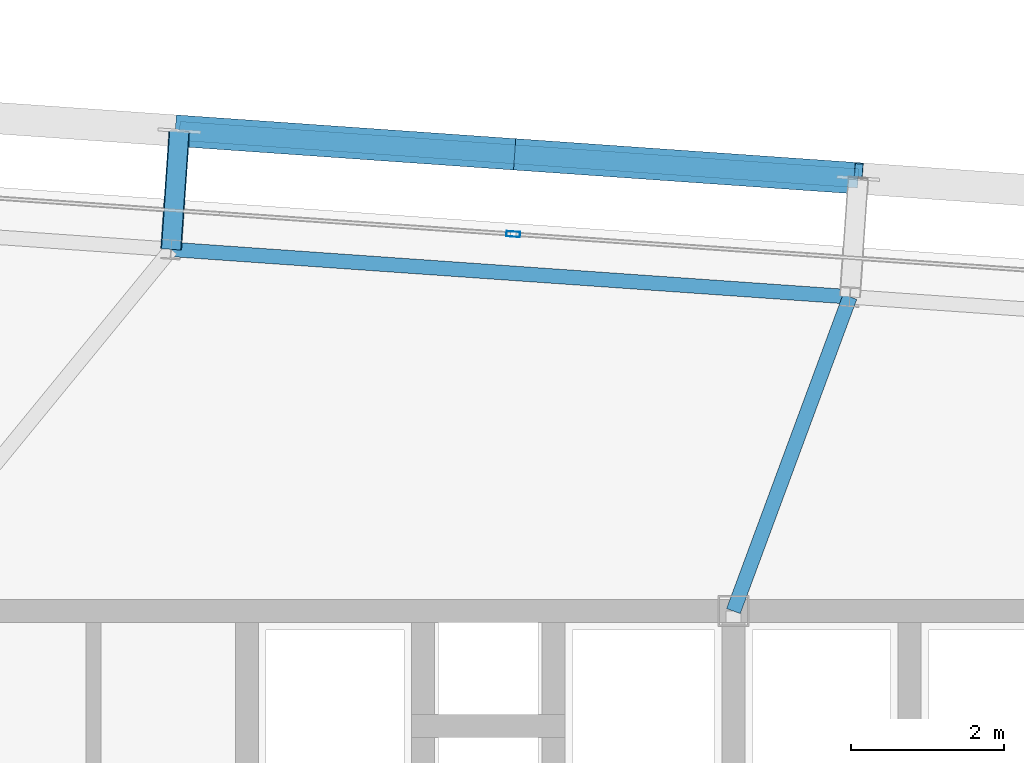
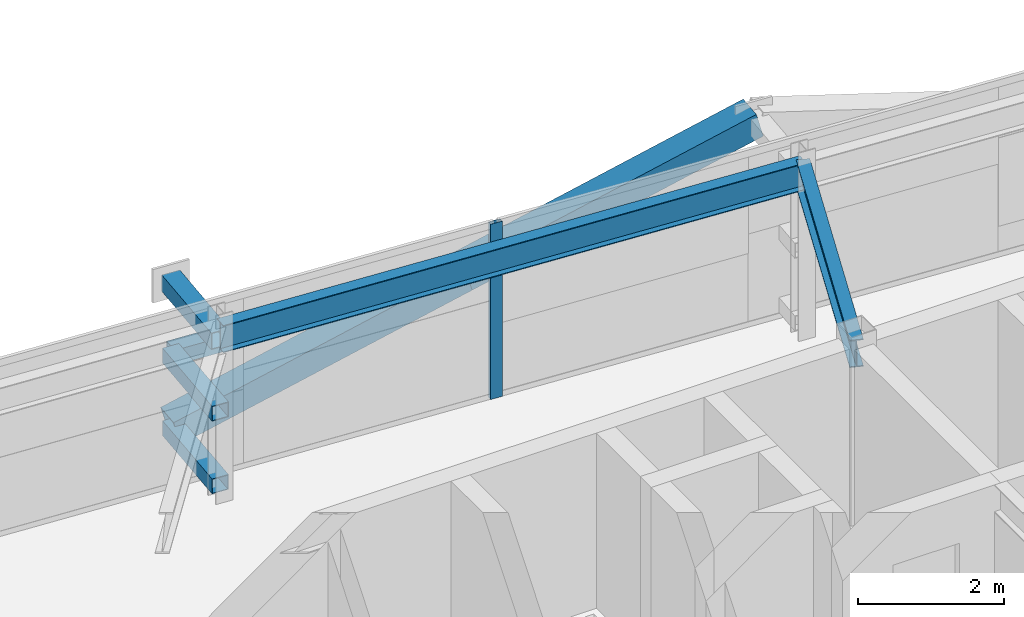
# One storey, part 22 of 39: 7 members, 2 beams, 1 element without a shape of its own.
"""IFC4 building model written with IfcOpenShell, lengths in metres."""

import ifcopenshell
import ifcopenshell.guid

model = None  # the IFC model being written
_history = None  # IfcOwnerHistory: only IFC2X3 demands one
_inside = {}  # id of a spatial element -> (the spatial element, [elements in it])
_under = {}  # id of a project, library or spatial element -> (it, [spatial elements below it])
_declared = {}  # id of a project -> (the project, [libraries it declares])
_typed = {}  # id of a type object -> (the type object, [elements of that type])
_made_of = {}  # id of a material, layer set ... -> (it, [elements and type objects made of it])


def new_model(schema):
    """Start an empty IFC model of exactly this schema.

    Asked for "IFC4X3", IfcOpenShell would pick the latest addendum, in which some entities
    have other attributes; the version numbers below select the first issue.
    IFC2X3 requires an IfcOwnerHistory on every rooted entity: one is made here for all.
    """
    global model, _history
    if schema == "IFC4X3":
        model = ifcopenshell.file(schema_version=(4, 3, 0, 0))
    else:
        model = ifcopenshell.file(schema=schema)
    _inside.clear()
    _under.clear()
    _declared.clear()
    _typed.clear()
    _made_of.clear()
    _history = None
    if model.schema == "IFC2X3":
        org = make("IfcOrganization", Name="unknown")
        user = make(
            "IfcPersonAndOrganization",
            ThePerson=make("IfcPerson", FamilyName="unknown"),
            TheOrganization=org,
        )
        app = make(
            "IfcApplication",
            ApplicationDeveloper=org,
            Version="unknown",
            ApplicationFullName="unknown",
            ApplicationIdentifier="unknown",
        )
        _history = make(
            "IfcOwnerHistory",
            OwningUser=user,
            OwningApplication=app,
            ChangeAction="ADDED",
            CreationDate=0,
        )
    return model


def make(cls, **values):
    """One entity of the class cls with the attributes given. An attribute that is None is left unset."""
    return model.create_entity(
        cls, **{name: value for name, value in values.items() if value is not None}
    )


def rooted(cls, **values):
    """An entity with a GlobalId (a new one), such as an element, a storey or a relation."""
    return make(cls, GlobalId=ifcopenshell.guid.new(), OwnerHistory=_history, **values)


def si_unit(unit_type, name, prefix=None):
    """IfcSIUnit, for example si_unit("LENGTHUNIT", "METRE", prefix="MILLI")."""
    return make("IfcSIUnit", UnitType=unit_type, Prefix=prefix, Name=name)


def assignment(units):
    """IfcUnitAssignment: the units of a project."""
    return None if units is None else make("IfcUnitAssignment", Units=units)


def point(xyz):
    """IfcCartesianPoint."""
    return None if xyz is None else make("IfcCartesianPoint", Coordinates=xyz)


def direction(xyz):
    """IfcDirection."""
    return None if xyz is None else make("IfcDirection", DirectionRatios=xyz)


def frame(location, z_axis=None, x_axis=None):
    """IfcAxis2Placement3D, a coordinate frame: its origin and axes. An axis left out is left unset."""
    return make(
        "IfcAxis2Placement3D",
        Location=point(location),
        Axis=direction(z_axis),
        RefDirection=direction(x_axis),
    )


def frame_2d(location, x_axis=None):
    """IfcAxis2Placement2D, a coordinate frame in the plane: its origin and x axis."""
    return make(
        "IfcAxis2Placement2D", Location=point(location), RefDirection=direction(x_axis)
    )


def origin():
    """The frame at (0, 0, 0) with its axes left unset."""
    return frame((0.0, 0.0, 0.0))


def origin_2d():
    """The frame at (0, 0) in the plane with its x axis left unset."""
    return frame_2d((0.0, 0.0))


def place(relative_to, where):
    """IfcLocalPlacement: puts the frame where relative to a parent placement (None: the world)."""
    return make(
        "IfcLocalPlacement", PlacementRelTo=relative_to, RelativePlacement=where
    )


def context(
    kind, dimensions, precision=None, world=None, true_north=None, identifier=None
):
    """IfcGeometricRepresentationContext, for example the 3D "Model" context."""
    return make(
        "IfcGeometricRepresentationContext",
        ContextIdentifier=identifier,
        ContextType=kind,
        CoordinateSpaceDimension=dimensions,
        Precision=precision,
        WorldCoordinateSystem=world,
        TrueNorth=true_north,
    )


def subcontext(parent, identifier, kind, view, scale=None):
    """IfcGeometricRepresentationSubContext, for example "Body" below "Model"."""
    return make(
        "IfcGeometricRepresentationSubContext",
        ContextIdentifier=identifier,
        ContextType=kind,
        ParentContext=parent,
        TargetScale=scale,
        TargetView=view,
    )


def project(units=None, contexts=None):
    """IfcProject with its units and contexts."""
    return rooted(
        "IfcProject",
        Name="project",
        RepresentationContexts=contexts,
        UnitsInContext=assignment(units),
    )


def spatial(cls, under=None, at=None, **own):
    """A site, building, storey or space (cls), placed at a placement, below another one or the project."""
    s = rooted(cls, ObjectPlacement=at, **own)
    if under is not None:
        _under.setdefault(under.id(), (under, []))[1].append(s)
    return s


def profile(cls, at=None, kind="AREA", **sizes):
    """A parametric profile (cls). Its sizes go by their IFC names, for example OverallWidth=200.0."""
    return make(cls, ProfileType=kind, Position=at, **sizes)


def hollow_rectangle(**sizes):
    """IfcRectangleHollowProfileDef."""
    return profile("IfcRectangleHollowProfileDef", **sizes)


def i_section(**sizes):
    """IfcIShapeProfileDef."""
    return profile("IfcIShapeProfileDef", **sizes)


def extrude(swept, where, along, depth):
    """IfcExtrudedAreaSolid: the profile swept, set in the frame where, extruded along a direction by depth."""
    return make(
        "IfcExtrudedAreaSolid",
        SweptArea=swept,
        Position=where,
        ExtrudedDirection=direction(along),
        Depth=depth,
    )


def shape(context_of_items, identifier, shape_type, items):
    """IfcShapeRepresentation: the items that make up one representation, for example the "Body"."""
    return make(
        "IfcShapeRepresentation",
        ContextOfItems=context_of_items,
        RepresentationIdentifier=identifier,
        RepresentationType=shape_type,
        Items=items,
    )


def source(mapping_origin, context_of_items, identifier, shape_type, items):
    """IfcRepresentationMap: a shape defined once, which mapped items show again and again."""
    return make(
        "IfcRepresentationMap",
        MappingOrigin=mapping_origin,
        MappedRepresentation=shape(context_of_items, identifier, shape_type, items),
    )


def transform(
    local_origin,
    x_axis=None,
    y_axis=None,
    z_axis=None,
    scale=None,
    scale2=None,
    scale3=None,
    uniform=True,
):
    """IfcCartesianTransformationOperator3D, or its non-uniform kind. x_axis, y_axis, z_axis: its Axis1, 2, 3."""
    if uniform:
        return make(
            "IfcCartesianTransformationOperator3D",
            Axis1=direction(x_axis),
            Axis2=direction(y_axis),
            LocalOrigin=point(local_origin),
            Scale=scale,
            Axis3=direction(z_axis),
        )
    return make(
        "IfcCartesianTransformationOperator3DnonUniform",
        Axis1=direction(x_axis),
        Axis2=direction(y_axis),
        LocalOrigin=point(local_origin),
        Scale=scale,
        Axis3=direction(z_axis),
        Scale2=scale2,
        Scale3=scale3,
    )


def mapped(mapping_source, mapping_target):
    """IfcMappedItem: shows the shape of a source again, moved by a transform."""
    return make(
        "IfcMappedItem", MappingSource=mapping_source, MappingTarget=mapping_target
    )


def material(Name=None, Category=None):
    """IfcMaterial."""
    return make("IfcMaterial", Name=Name, Category=Category)


def layer(
    of_material, thickness, ventilated=None, Name=None, Category=None, Priority=None
):
    """IfcMaterialLayer: one layer of a wall or slab, of a material (None: an air gap)."""
    return make(
        "IfcMaterialLayer",
        Material=of_material,
        LayerThickness=thickness,
        IsVentilated=ventilated,
        Name=Name,
        Category=Category,
        Priority=Priority,
    )


def layer_set(layers, Name=None):
    """IfcMaterialLayerSet."""
    return make("IfcMaterialLayerSet", MaterialLayers=layers, LayerSetName=Name)


def material_profile(
    of_material, cross_section, Name=None, Category=None, Priority=None
):
    """IfcMaterialProfile: a cross section and its material."""
    return make(
        "IfcMaterialProfile",
        Name=Name,
        Material=of_material,
        Profile=cross_section,
        Priority=Priority,
        Category=Category,
    )


def profile_set(profiles, Name=None, composite=None):
    """IfcMaterialProfileSet."""
    return make(
        "IfcMaterialProfileSet",
        Name=Name,
        MaterialProfiles=profiles,
        CompositeProfile=composite,
    )


def made_of(thing, what):
    """Note that an element or type object is made of a material, layer set ...; save() writes the relation."""
    if what is not None:
        _made_of.setdefault(what.id(), (what, []))[1].append(thing)
    return thing


def type_object(cls, material=None, **own):
    """A type object (cls), such as IfcWallType, which elements share."""
    return made_of(rooted(cls, **own), material)


def element(
    cls,
    number,
    at=None,
    inside=None,
    cuts=None,
    type_object=None,
    material=None,
    context=None,
    identifier="Body",
    shape_type=None,
    held_by="IfcProductDefinitionShape",
    body=None,
    shapes=None,
    **own,
):
    """One element of the class cls, such as IfcWall. Its Tag is "e" and its number.

    at: its placement. inside: the storey or other place that contains it. cuts: it is an
    opening in that element (IfcRelVoidsElement). A single representation is given by context,
    identifier, shape_type and body (its items); several are given by shapes. held_by: the class
    of the entity that holds the representations. save() writes the other relations.
    """
    e = rooted(cls, Tag="e%d" % number, ObjectPlacement=at, **own)
    if body is not None:
        shapes = [shape(context, identifier, shape_type, body)]
    if shapes is not None:
        e.Representation = make(held_by, Representations=shapes)
    if inside is not None:
        _inside.setdefault(inside.id(), (inside, []))[1].append(e)
    if cuts is not None:
        rooted(
            "IfcRelVoidsElement", RelatingBuildingElement=cuts, RelatedOpeningElement=e
        )
    if type_object is not None:
        _typed.setdefault(type_object.id(), (type_object, []))[1].append(e)
    return made_of(e, material)


def aggregate(whole, parts):
    """IfcRelAggregates: a whole, such as a stair, and the parts it consists of."""
    return rooted("IfcRelAggregates", RelatingObject=whole, RelatedObjects=parts)


def save(model, path):
    """Write the relations noted so far, then the file.

    IfcRelAggregates (storeys below a building ...), IfcRelContainedInSpatialStructure (elements
    in a storey), IfcRelDefinesByType, IfcRelAssociatesMaterial and IfcRelDeclares: one each for
    every whole, place, type object, material and project.
    """
    for whole, parts in _under.values():
        aggregate(whole, parts)
    for where, things in _inside.values():
        rooted(
            "IfcRelContainedInSpatialStructure",
            RelatedElements=things,
            RelatingStructure=where,
        )
    for kind, things in _typed.values():
        rooted("IfcRelDefinesByType", RelatedObjects=things, RelatingType=kind)
    for what, things in _made_of.values():
        rooted("IfcRelAssociatesMaterial", RelatedObjects=things, RelatingMaterial=what)
    for by, libraries in _declared.values():
        rooted("IfcRelDeclares", RelatingContext=by, RelatedDefinitions=libraries)
    model.write(path)


model = new_model("IFC4")

# Units and contexts
model_context = context("Model", 3, precision=1e-05, world=origin(), true_north=direction((0.0, 1.0)))
body_context = subcontext(model_context, "Body", "Model", "MODEL_VIEW")
ifc_project = project(units=[si_unit("LENGTHUNIT", "METRE"), si_unit("AREAUNIT", "SQUARE_METRE"), si_unit("VOLUMEUNIT", "CUBIC_METRE"), si_unit("PLANEANGLEUNIT", "RADIAN"), si_unit("MASSUNIT", "GRAM", prefix="KILO")], contexts=[model_context])

# Site, building, storey
site_placement = place(None, origin())
site = spatial("IfcSite", under=ifc_project, at=site_placement, CompositionType="ELEMENT")
building_placement = place(site_placement, origin())
building = spatial("IfcBuilding", under=site, at=building_placement, Name="Taldren Reach Tower", CompositionType="ELEMENT")
storey_placement = place(building_placement, frame((0.0, 0.0, 151.89990234375)))
storey = spatial("IfcBuildingStorey", under=building, at=storey_placement, Name="L46", CompositionType="ELEMENT", Elevation=151.89990234375)

# Members
ifc_material_1 = material(Name="Steel Gr 450 (C450L0)", Category="steel")
ifc_material_profile_1 = material_profile(ifc_material_1, hollow_rectangle(XDim=0.27490234375, YDim=0.27490234375, WallThickness=0.00927734375, at=origin_2d()), Name="275x275x9.3SHS")
ifc_profile_set_1 = profile_set([ifc_material_profile_1], Name="Steel Gr 450 (C450L0)")
member_type_1 = type_object("IfcMemberType", Name="MB-TIE273", PredefinedType="STRUT", material=ifc_profile_set_1)
shared_shape_1 = source(origin(), body_context, "Body", "SweptSolid", [
    extrude(hollow_rectangle(XDim=0.27490234375, YDim=0.27490234375, WallThickness=0.00927734375, at=origin_2d()), origin(), (0.0, 0.0, 1.0), 1.5498046875),
])
member_1_placement = place(storey_placement, frame((31.861328125, 36.719970703125, 2.650146484375), z_axis=(0.069780535098, 0.997562367434, 0.0), x_axis=(-0.997562367434, 0.069780535098, 0.0)))
element("IfcMember", 1, at=member_1_placement, inside=storey, type_object=member_type_1, Name="Exoskeleton diaphragm tie strut B3-N3 L46", PredefinedType="STRUT", context=body_context, shape_type="MappedRepresentation", body=[
    mapped(shared_shape_1, transform((0.0, 0.0, 0.0), scale=1.0)),
])
ifc_material_2 = material(Name="Steel Gr 350 (C350L0)", Category="steel")
ifc_material_profile_2 = material_profile(ifc_material_2, hollow_rectangle(XDim=0.25, YDim=0.25, WallThickness=0.010009765625, at=origin_2d()), Name="250x250x10.0SHS")
ifc_profile_set_2 = profile_set([ifc_material_profile_2], Name="Steel Gr 350 (C350L0)")
member_type_2 = type_object("IfcMemberType", Name="MB-POST250", PredefinedType="POST", material=ifc_profile_set_2)
shared_shape_2 = source(origin(), body_context, "Body", "SweptSolid", [
    extrude(hollow_rectangle(XDim=0.25, YDim=0.25, WallThickness=0.010009765625, at=origin_2d()), origin(), (0.0, 0.0, 1.0), 1.5498046875),
])
for number, where, z_axis, x_axis, name in (
    (2, (31.861328125, 36.719970703125, 0.22021484375), (0.069780535098, 0.997562367434, 0.0), (-0.997562367434, 0.069780535098, 0.0), "Exoskeleton base diaphragm tie strut B3-N3 L46"),
    (3, (31.861328125, 36.719970703125, 1.43505859375), (0.069780535098, 0.997562367434, 0.0), (-0.997562367434, 0.069780535098, 0.0), "Exoskeleton mid-tier diaphragm tie B3-N3 L46"),
):
    element("IfcMember", number, at=place(storey_placement, frame(where, z_axis=z_axis, x_axis=x_axis)), inside=storey, type_object=member_type_2, Name=name, PredefinedType="POST", context=body_context, shape_type="MappedRepresentation", body=[
        mapped(shared_shape_2, transform((0.0, 0.0, 0.0), scale=1.0)),
    ])

# Beams
ifc_material_3 = material(Name="Steel Gr 350 (350PLUS)", Category="steel")
ifc_material_profile_3 = material_profile(ifc_material_3, i_section(OverallWidth=0.18994140625, OverallDepth=0.4541015625, WebThickness=0.008544921875, FlangeThickness=0.0126953125, at=origin_2d()), Name="460UB67.1")
ifc_profile_set_3 = profile_set([ifc_material_profile_3], Name="Steel Gr 350 (350PLUS)")
beam_type_1 = type_object("IfcBeamType", Name="SP-UB460B", PredefinedType="SPANDREL", material=ifc_profile_set_3)
shared_shape_3 = source(origin(), body_context, "Body", "SweptSolid", [
    extrude(i_section(OverallWidth=0.18994140625, OverallDepth=0.4541015625, WebThickness=0.008544921875, FlangeThickness=0.0126953125, at=origin_2d()), origin(), (0.0, 0.0, 1.0), 8.880126953125),
])
beam_1_placement = place(storey_placement, frame((40.7197265625, 36.100341796875, 2.703125), z_axis=(-0.997562566276, 0.06977769246, 0.0), x_axis=(-0.06977769246, -0.997562566276, 0.0)))
element("IfcBeam", 4, at=beam_1_placement, inside=storey, type_object=beam_type_1, Name="Perimeter spandrel B3 N4-N3 L46", PredefinedType="SPANDREL", context=body_context, shape_type="MappedRepresentation", body=[
    mapped(shared_shape_3, transform((0.0, 0.0, 0.0), scale=1.0)),
])
ifc_material_profile_4 = material_profile(ifc_material_3, i_section(OverallWidth=0.19091796875, OverallDepth=0.4599609375, WebThickness=0.010009765625, FlangeThickness=0.01611328125, at=origin_2d()), Name="460UB82.1")
ifc_profile_set_4 = profile_set([ifc_material_profile_4], Name="Steel Gr 350 (350PLUS)")
beam_type_2 = type_object("IfcBeamType", Name="BM-UB460A", PredefinedType="BEAM", material=ifc_profile_set_4)
shared_shape_4 = source(origin(), body_context, "Body", "SweptSolid", [
    extrude(i_section(OverallWidth=0.19091796875, OverallDepth=0.4599609375, WebThickness=0.010009765625, FlangeThickness=0.01611328125, at=origin_2d()), origin(), (0.0, 0.0, 1.0), 4.373046875),
])
beam_2_placement = place(storey_placement, frame((39.199951171875, 32.0, 2.7001953125), z_axis=(0.347541638975, 0.937664550454, 0.0), x_axis=(-0.937664550454, 0.347541638975, 0.0)))
element("IfcBeam", 5, at=beam_2_placement, inside=storey, type_object=beam_type_2, Name="Primary floor girder B3-N4 L46", PredefinedType="BEAM", context=body_context, shape_type="MappedRepresentation", body=[
    mapped(shared_shape_4, transform((0.0, 0.0, 0.0), scale=1.0)),
])

# Members
shared_shape_5 = source(origin(), body_context, "Body", "SweptSolid", [
    extrude(hollow_rectangle(XDim=0.25, YDim=0.25, WallThickness=0.010009765625, at=origin_2d()), origin(), (0.0, 0.0, 1.0), 8.880126953125),
])
member_2_placement = place(storey_placement, frame((31.969482421875, 38.26611328125, 1.43505859375), z_axis=(0.997564479639, -0.069750333063, 0.0), x_axis=(0.069750333063, 0.997564479639, 0.0)))
element("IfcMember", 6, at=member_2_placement, inside=storey, type_object=member_type_2, Name="Exoskeleton mid-height ring chord B3-N3 L46", PredefinedType="POST", context=body_context, shape_type="MappedRepresentation", body=[
    mapped(shared_shape_5, transform((0.0, 0.0, 0.0), scale=1.0)),
])
ifc_material_profile_5 = material_profile(ifc_material_1, hollow_rectangle(XDim=0.409912109375, YDim=0.409912109375, WallThickness=0.01611328125, at=origin_2d()), Name="410x410x16.0SHS")
ifc_profile_set_5 = profile_set([ifc_material_profile_5], Name="Steel Gr 450 (C450L0)")
member_type_3 = type_object("IfcMemberType", Name="MB-EXO406", PredefinedType="BRACE", material=ifc_profile_set_5)
shared_shape_6 = source(origin(), body_context, "Body", "SweptSolid", [
    extrude(hollow_rectangle(XDim=0.409912109375, YDim=0.409912109375, WallThickness=0.01611328125, at=origin_2d()), origin(), (0.0, 0.0, 1.0), 4.603271484375),
])
for number, where, z_axis, x_axis, name in (
    (7, (31.969482421875, 38.26611328125, 0.22021484375), (0.962195820062, -0.067303852699, 0.263911718699), (0.06977769246, 0.997562566276, 0.0), "Exoskeleton Diagrid Brace B3-N3 L46"),
    (8, (36.398681640625, 37.956298828125, 1.43505859375), (0.962185784239, -0.067250114343, 0.263962002434), (0.069722973508, 0.997566392259, 0.0), "Exoskeleton Diagrid Brace B3-N3 L46"),
):
    element("IfcMember", number, at=place(storey_placement, frame(where, z_axis=z_axis, x_axis=x_axis)), inside=storey, type_object=member_type_3, Name=name, PredefinedType="BRACE", context=body_context, shape_type="MappedRepresentation", body=[
        mapped(shared_shape_6, transform((0.0, 0.0, 0.0), scale=1.0)),
    ])

# Curtain wall, member
ifc_material_4 = material(Name="Aluminium and Low-E Glass Unitised System", Category="aluminium")
ifc_layer = layer(ifc_material_4, 0.159912109375)
ifc_layer_set = layer_set([ifc_layer], Name="Aluminium and Low-E Glass Unitised System")
curtain_wall_type = type_object("IfcCurtainWallType", Name="CW-SYS-4", PredefinedType="NOTDEFINED", material=ifc_layer_set)
curtain_wall_placement = place(storey_placement, origin())
curtain_wall = element("IfcCurtainWall", 9, at=curtain_wall_placement, inside=storey, type_object=curtain_wall_type, Name="Unitised curtain wall CW-L46-N", PredefinedType="NOTDEFINED")
ifc_material_5 = material(Name="Anodised Aluminium 6063-T6", Category="aluminium")
ifc_material_profile_6 = material_profile(ifc_material_5, hollow_rectangle(XDim=0.070068359375, YDim=0.179931640625, WallThickness=0.00390625, at=origin_2d()), Name="ALU-180x70x4RHS")
ifc_profile_set_6 = profile_set([ifc_material_profile_6], Name="Anodised Aluminium 6063-T6")
member_type_4 = type_object("IfcMemberType", Name="CW-MUL-180", PredefinedType="MULLION", material=ifc_profile_set_6)
shared_shape_7 = source(origin(), body_context, "Body", "SweptSolid", [
    extrude(hollow_rectangle(XDim=0.070068359375, YDim=0.179931640625, WallThickness=0.00390625, at=origin_2d()), origin(), (0.0, 0.0, 1.0), 2.93017578125),
])
member_3_placement = place(storey_placement, frame((36.326171875, 36.9189453125, 0.0), z_axis=(0.0, 0.0, 1.0), x_axis=(-0.06975651593, -0.99756404731, 0.0)))
member_3 = element("IfcMember", 10, at=member_3_placement, type_object=member_type_4, Name="CW-4 mullion 3", PredefinedType="MULLION", context=body_context, shape_type="MappedRepresentation", body=[
    mapped(shared_shape_7, transform((0.0, 0.0, 0.0), scale=1.0)),
])
aggregate(curtain_wall, [member_3])

save(model, "model.ifc")
